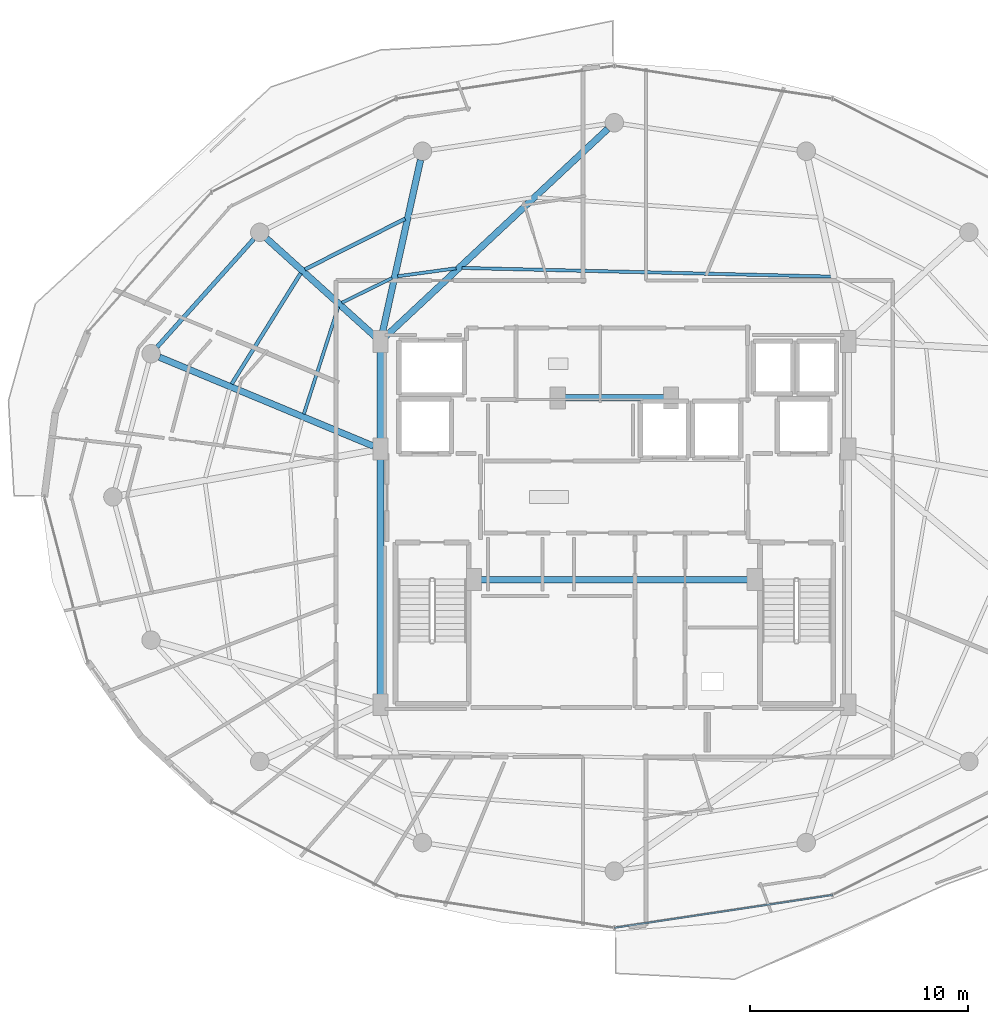
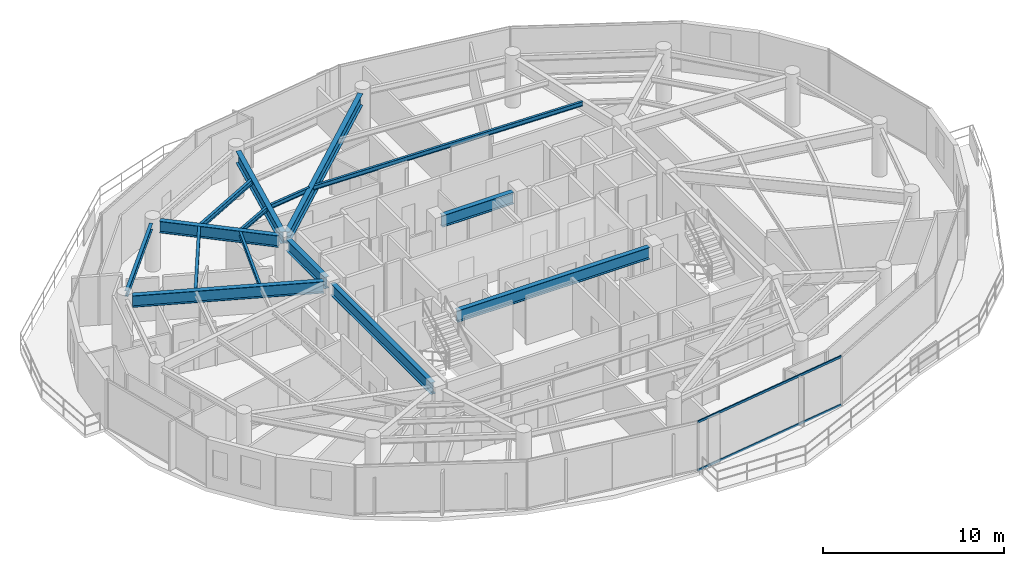
# One storey, part 9 of 30: 15 beams, 2 members, 1 element without a shape of its own.
"""IFC4 building model written with IfcOpenShell, lengths in metres."""

from ifc_helpers import new_model, si_unit, direction, frame, origin, origin_2d, place, context, subcontext, project, spatial, hollow_rectangle, i_section, extrude, material, material_profile, profile_set, type_object, element, aggregate, save


model = new_model("IFC4")

# Units and contexts
model_context = context("Model", 3, precision=1e-05, world=origin(), true_north=direction((0.0, 1.0)))
body_context = subcontext(model_context, "Body", "Model", "MODEL_VIEW")
ifc_project = project(units=[si_unit("LENGTHUNIT", "METRE"), si_unit("AREAUNIT", "SQUARE_METRE"), si_unit("VOLUMEUNIT", "CUBIC_METRE"), si_unit("PLANEANGLEUNIT", "RADIAN"), si_unit("MASSUNIT", "GRAM", prefix="KILO")], contexts=[model_context])

# Site, building, storey
site_placement = place(None, origin())
site = spatial("IfcSite", under=ifc_project, at=site_placement, CompositionType="ELEMENT")
building_placement = place(site_placement, origin())
building = spatial("IfcBuilding", under=site, at=building_placement, Name="Vorneva Point Tower", CompositionType="ELEMENT")
storey_placement = place(building_placement, frame((0.0, 0.0, 237.800048828125)))
storey = spatial("IfcBuildingStorey", under=building, at=storey_placement, Name="L64", CompositionType="ELEMENT", Elevation=237.800048828125)

# Beams
ifc_material_1 = material(Name="Steel S355", Category="steel")
ifc_material_profile_1 = material_profile(ifc_material_1, i_section(OverallWidth=0.300048828125, OverallDepth=0.7880859375, WebThickness=0.014404296875, FlangeThickness=0.02197265625, at=origin_2d()), Name="80Sh1")
ifc_profile_set_1 = profile_set([ifc_material_profile_1], Name="Steel S355")
beam_type_1 = type_object("IfcBeamType", Name="BM-GRD-80Sh1", PredefinedType="USERDEFINED", material=ifc_profile_set_1)
beam_1_placement = place(storey_placement, frame((37.6982421875, 42.91796875, 2.89599609375), z_axis=(-0.730485790946, -0.682927894602, 0.0), x_axis=(0.682927894602, -0.730485790946, 0.0)))
element("IfcBeam", 1, at=beam_1_placement, inside=storey, type_object=beam_type_1, Name="L64 Radial Primary Girder 05", ObjectType="GIRDER", PredefinedType="USERDEFINED", context=body_context, shape_type="SweptSolid", body=[
    extrude(i_section(OverallWidth=0.300048828125, OverallDepth=0.7880859375, WebThickness=0.014404296875, FlangeThickness=0.02197265625, at=origin_2d()), origin(), (0.0, 0.0, 1.0), 13.963134765625),
])
beam_2_placement = place(storey_placement, frame((29.090087890625, 41.4873046875, 2.89599609375), z_axis=(-0.215520742957, -0.976499262342, 0.0), x_axis=(0.976499262342, -0.215520742957, 0.0)))
element("IfcBeam", 2, at=beam_2_placement, inside=storey, type_object=beam_type_1, Name="L64 Radial Primary Girder 06", ObjectType="GIRDER", PredefinedType="USERDEFINED", context=body_context, shape_type="SweptSolid", body=[
    extrude(i_section(OverallWidth=0.300048828125, OverallDepth=0.7880859375, WebThickness=0.014404296875, FlangeThickness=0.02197265625, at=origin_2d()), origin(), (0.0, 0.0, 1.0), 8.197998046875),
])
beam_3_placement = place(storey_placement, frame((22.0078125, 37.885498046875, 2.89599609375), z_axis=(0.7420671051, -0.670325601128, 0.0), x_axis=(0.670325601128, 0.7420671051, 0.0)))
element("IfcBeam", 3, at=beam_3_placement, inside=storey, type_object=beam_type_1, Name="L64 Radial Primary Girder 07", ObjectType="GIRDER", PredefinedType="USERDEFINED", context=body_context, shape_type="SweptSolid", body=[
    extrude(i_section(OverallWidth=0.300048828125, OverallDepth=0.7880859375, WebThickness=0.014404296875, FlangeThickness=0.02197265625, at=origin_2d()), origin(), (0.0, 0.0, 1.0), 6.724365234375),
])
beam_4_placement = place(storey_placement, frame((17.0859375, 32.423583984375, 2.89599609375), z_axis=(0.923448932068, -0.383721344027, 0.0), x_axis=(0.383721344027, 0.923448932068, 0.0)))
element("IfcBeam", 4, at=beam_4_placement, inside=storey, type_object=beam_type_1, Name="L64 Radial Primary Girder 08", ObjectType="GIRDER", PredefinedType="USERDEFINED", context=body_context, shape_type="SweptSolid", body=[
    extrude(i_section(OverallWidth=0.300048828125, OverallDepth=0.7880859375, WebThickness=0.014404296875, FlangeThickness=0.02197265625, at=origin_2d()), origin(), (0.0, 0.0, 1.0), 10.666748046875),
])
beam_5_placement = place(storey_placement, frame((27.25, 16.77001953125, 2.89599609375), z_axis=(0.0, 1.0, 0.0), x_axis=(-1.0, 0.0, 0.0)))
element("IfcBeam", 5, at=beam_5_placement, inside=storey, type_object=beam_type_1, Name="L64 Core Tie Girder CT1", ObjectType="GIRDER", PredefinedType="USERDEFINED", context=body_context, shape_type="SweptSolid", body=[
    extrude(i_section(OverallWidth=0.300048828125, OverallDepth=0.7880859375, WebThickness=0.014404296875, FlangeThickness=0.02197265625, at=origin_2d()), origin(), (0.0, 0.0, 1.0), 11.10986328125),
])
beam_6_placement = place(storey_placement, frame((27.25, 28.52001953125, 2.89599609375), z_axis=(0.0, 1.0, 0.0), x_axis=(-1.0, 0.0, 0.0)))
element("IfcBeam", 6, at=beam_6_placement, inside=storey, type_object=beam_type_1, Name="L64 Core Tie Girder CT2", ObjectType="GIRDER", PredefinedType="USERDEFINED", context=body_context, shape_type="SweptSolid", body=[
    extrude(i_section(OverallWidth=0.300048828125, OverallDepth=0.7880859375, WebThickness=0.014404296875, FlangeThickness=0.02197265625, at=origin_2d()), origin(), (0.0, 0.0, 1.0), 4.31005859375),
])
beam_7_placement = place(storey_placement, frame((35.719970703125, 30.550048828125, 2.89599609375), z_axis=(1.0, 0.0, 0.0), x_axis=(0.0, 1.0, 0.0)))
element("IfcBeam", 7, at=beam_7_placement, inside=storey, type_object=beam_type_1, Name="L64 Core Tie Girder CT8", ObjectType="GIRDER", PredefinedType="USERDEFINED", context=body_context, shape_type="SweptSolid", body=[
    extrude(i_section(OverallWidth=0.300048828125, OverallDepth=0.7880859375, WebThickness=0.014404296875, FlangeThickness=0.02197265625, at=origin_2d()), origin(), (0.0, 0.0, 1.0), 4.56005859375),
])
beam_8_placement = place(storey_placement, frame((31.8701171875, 22.199951171875, 2.89599609375), z_axis=(1.0, 0.0, 0.0), x_axis=(0.0, 1.0, 0.0)))
element("IfcBeam", 8, at=beam_8_placement, inside=storey, type_object=beam_type_1, Name="L64 Core Tie Girder CT7", ObjectType="GIRDER", PredefinedType="USERDEFINED", context=body_context, shape_type="SweptSolid", body=[
    extrude(i_section(OverallWidth=0.300048828125, OverallDepth=0.7880859375, WebThickness=0.014404296875, FlangeThickness=0.02197265625, at=origin_2d()), origin(), (0.0, 0.0, 1.0), 12.259765625),
])
ifc_material_profile_2 = material_profile(ifc_material_1, i_section(OverallWidth=0.14892578125, OverallDepth=0.298095703125, WebThickness=0.005615234375, FlangeThickness=0.008056640625, at=origin_2d()), Name="30B1")
ifc_profile_set_2 = profile_set([ifc_material_profile_2], Name="Steel S355")
beam_type_2 = type_object("IfcBeamType", Name="BM-JST-30B1", PredefinedType="JOIST", material=ifc_profile_set_2)
beam_9_placement = place(storey_placement, frame((47.955810546875, 36.126953125, 3.140869140625), z_axis=(-0.999723274381, 0.023523916799, 0.0), x_axis=(-0.023523916799, -0.999723274381, 0.0)))
element("IfcBeam", 9, at=beam_9_placement, inside=storey, type_object=beam_type_2, Name="L64 Secondary Floor Beam 2.04", PredefinedType="JOIST", context=body_context, shape_type="SweptSolid", body=[
    extrude(i_section(OverallWidth=0.14892578125, OverallDepth=0.298095703125, WebThickness=0.005615234375, FlangeThickness=0.008056640625, at=origin_2d()), origin(), (0.0, 0.0, 1.0), 16.958251953125),
])
beam_10_placement = place(storey_placement, frame((30.7275390625, 36.51025390625, 3.140869140625), z_axis=(-0.990749387049, -0.135704281664, 0.0), x_axis=(0.135704281664, -0.990749387049, 0.0)))
element("IfcBeam", 10, at=beam_10_placement, inside=storey, type_object=beam_type_2, Name="L64 Secondary Floor Beam 2.05", PredefinedType="JOIST", context=body_context, shape_type="SweptSolid", body=[
    extrude(i_section(OverallWidth=0.14892578125, OverallDepth=0.298095703125, WebThickness=0.005615234375, FlangeThickness=0.008056640625, at=origin_2d()), origin(), (0.0, 0.0, 1.0), 2.70947265625),
])
beam_11_placement = place(storey_placement, frame((27.782470703125, 36.062744140625, 3.140869140625), z_axis=(-0.897106439702, -0.441814481254, 0.0), x_axis=(0.441814481254, -0.897106439702, 0.0)))
element("IfcBeam", 11, at=beam_11_placement, inside=storey, type_object=beam_type_2, Name="L64 Secondary Floor Beam 2.06", PredefinedType="JOIST", context=body_context, shape_type="SweptSolid", body=[
    extrude(i_section(OverallWidth=0.14892578125, OverallDepth=0.298095703125, WebThickness=0.005615234375, FlangeThickness=0.008056640625, at=origin_2d()), origin(), (0.0, 0.0, 1.0), 2.572265625),
])
beam_12_placement = place(storey_placement, frame((25.308837890625, 34.73388671875, 3.140869140625), z_axis=(-0.305865464812, -0.952074743618, 0.0), x_axis=(0.952074743618, -0.305865464812, 0.0)))
element("IfcBeam", 12, at=beam_12_placement, inside=storey, type_object=beam_type_2, Name="L64 Secondary Floor Beam 2.07", PredefinedType="JOIST", context=body_context, shape_type="SweptSolid", body=[
    extrude(i_section(OverallWidth=0.14892578125, OverallDepth=0.298095703125, WebThickness=0.005615234375, FlangeThickness=0.008056640625, at=origin_2d()), origin(), (0.0, 0.0, 1.0), 5.169189453125),
])
ifc_material_profile_3 = material_profile(ifc_material_1, i_section(OverallWidth=0.174072265625, OverallDepth=0.345947265625, WebThickness=0.006103515625, FlangeThickness=0.009033203125, at=origin_2d()), Name="35B1")
ifc_profile_set_3 = profile_set([ifc_material_profile_3], Name="Steel S355")
beam_type_3 = type_object("IfcBeamType", Name="BM-SEC-35B1", PredefinedType="BEAM", material=ifc_profile_set_3)
beam_13_placement = place(storey_placement, frame((28.3837890625, 38.783447265625, 3.116943359375), z_axis=(-0.892860048752, -0.450334246246, 0.0), x_axis=(0.450334246246, -0.892860048752, 0.0)))
element("IfcBeam", 13, at=beam_13_placement, inside=storey, type_object=beam_type_3, Name="L64 Secondary Floor Beam 1.06", PredefinedType="BEAM", context=body_context, shape_type="SweptSolid", body=[
    extrude(i_section(OverallWidth=0.174072265625, OverallDepth=0.345947265625, WebThickness=0.006103515625, FlangeThickness=0.009033203125, at=origin_2d()), origin(), (0.0, 0.0, 1.0), 5.158935546875),
])
beam_14_placement = place(storey_placement, frame((23.581298828125, 36.28076171875, 3.116943359375), z_axis=(-0.528831274258, -0.848726978107, 0.0), x_axis=(0.848726978107, -0.528831274258, 0.0)))
element("IfcBeam", 14, at=beam_14_placement, inside=storey, type_object=beam_type_3, Name="L64 Secondary Floor Beam 1.07", PredefinedType="BEAM", context=body_context, shape_type="SweptSolid", body=[
    extrude(i_section(OverallWidth=0.174072265625, OverallDepth=0.345947265625, WebThickness=0.006103515625, FlangeThickness=0.009033203125, at=origin_2d()), origin(), (0.0, 0.0, 1.0), 5.997802734375),
])
ifc_material_profile_4 = material_profile(ifc_material_1, i_section(OverallWidth=0.198974609375, OverallDepth=0.39599609375, WebThickness=0.007080078125, FlangeThickness=0.010986328125, at=origin_2d()), Name="40B1")
ifc_profile_set_4 = profile_set([ifc_material_profile_4], Name="Steel S355")
beam_type_4 = type_object("IfcBeamType", Name="BM-SPN-40B1", PredefinedType="SPANDREL", material=ifc_profile_set_4)
beam_15_placement = place(storey_placement, frame((21.427734375, 37.856689453125, 3.092041015625), z_axis=(-0.667108282638, -0.744960763554, 0.0), x_axis=(0.744960763554, -0.667108282638, 0.0)))
element("IfcBeam", 15, at=beam_15_placement, inside=storey, type_object=beam_type_4, Name="L64 Perimeter Spandrel Ring Beam 07", PredefinedType="SPANDREL", context=body_context, shape_type="SweptSolid", body=[
    extrude(i_section(OverallWidth=0.198974609375, OverallDepth=0.39599609375, WebThickness=0.007080078125, FlangeThickness=0.010986328125, at=origin_2d()), origin(), (0.0, 0.0, 1.0), 6.670166015625),
])

# Curtain wall, members
ifc_material_2 = material(Name="Pale anodised aluminium", Category="aluminium")
curtain_wall_type = type_object("IfcCurtainWallType", Name="CW-RES-SYS", PredefinedType="NOTDEFINED", material=ifc_material_2)
curtain_wall_placement = place(storey_placement, origin())
curtain_wall = element("IfcCurtainWall", 16, at=curtain_wall_placement, inside=storey, type_object=curtain_wall_type, Name="L64 Unitised Curtain Wall CW-L64-R04", PredefinedType="NOTDEFINED")
ifc_material_profile_5 = material_profile(ifc_material_2, hollow_rectangle(XDim=0.074951171875, YDim=0.14990234375, WallThickness=0.00390625, at=origin_2d()), Name="AL-TRN 150x75x4")
ifc_profile_set_5 = profile_set([ifc_material_profile_5], Name="Pale anodised aluminium")
member_type = type_object("IfcMemberType", Name="CW-TRN-150", PredefinedType="USERDEFINED", material=ifc_profile_set_5)
member_1_placement = place(storey_placement, frame((38.0, 6.18994140625, 0.02001953125), z_axis=(0.988876929856, 0.148736066907, 0.0), x_axis=(-0.148736066907, 0.988876929856, 0.0)))
member_1 = element("IfcMember", 17, at=member_1_placement, type_object=member_type, Name="CW-L64-R04 Transom 03.1", ObjectType="TRANSOM", PredefinedType="USERDEFINED", context=body_context, shape_type="SweptSolid", body=[
    extrude(hollow_rectangle(XDim=0.074951171875, YDim=0.14990234375, WallThickness=0.00390625, at=origin_2d()), origin(), (0.0, 0.0, 1.0), 10.13916015625),
])
member_2_placement = place(storey_placement, frame((38.0, 6.18994140625, 3.27001953125), z_axis=(0.988876929856, 0.148736066907, 0.0), x_axis=(-0.148736066907, 0.988876929856, 0.0)))
member_2 = element("IfcMember", 18, at=member_2_placement, type_object=member_type, Name="CW-L64-R04 Transom 03.2", ObjectType="TRANSOM", PredefinedType="USERDEFINED", context=body_context, shape_type="SweptSolid", body=[
    extrude(hollow_rectangle(XDim=0.074951171875, YDim=0.14990234375, WallThickness=0.00390625, at=origin_2d()), origin(), (0.0, 0.0, 1.0), 10.13916015625),
])
aggregate(curtain_wall, [member_1, member_2])

save(model, "model.ifc")
